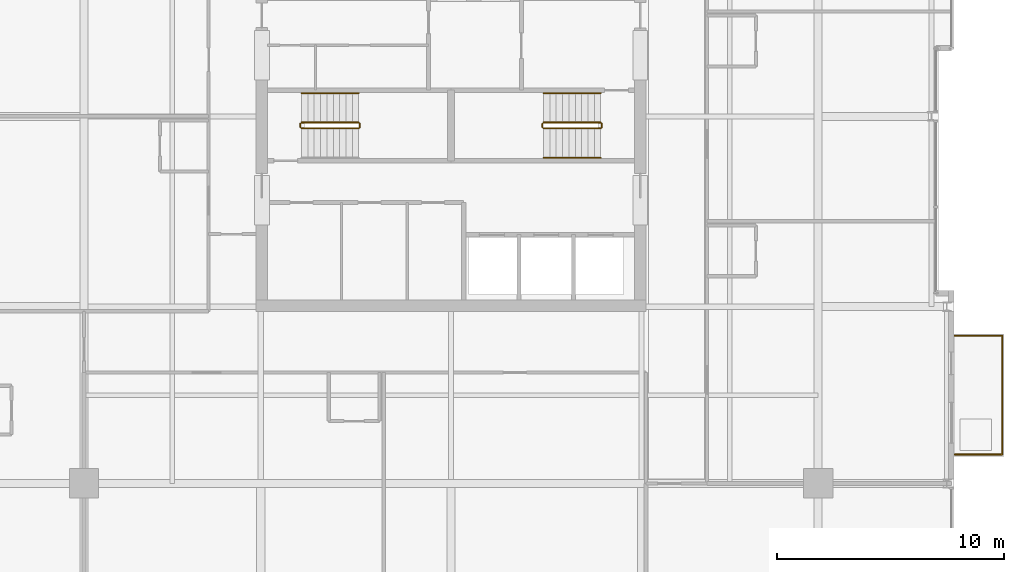
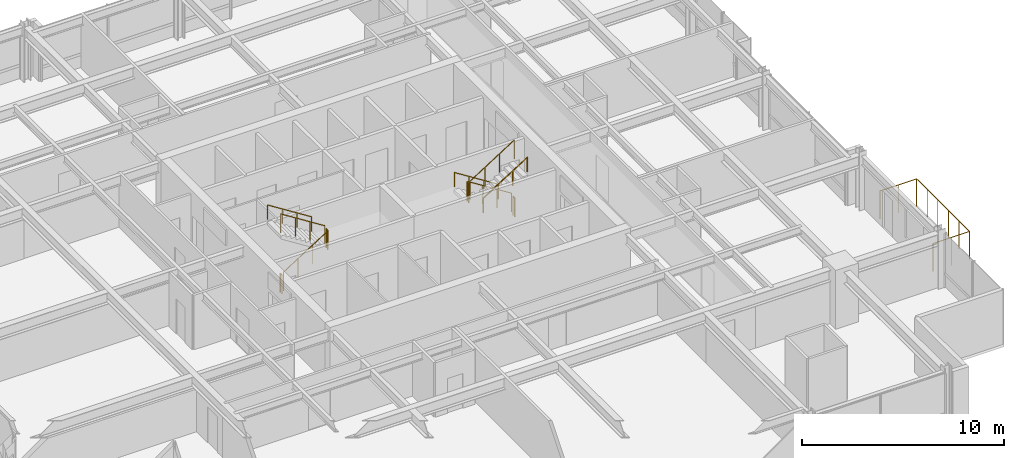
# One storey, part 32 of 33: 12 railings.
"""IFC4 building model written with IfcOpenShell, lengths in metres."""

from ifc_helpers import new_model, si_unit, direction, frame, origin, origin_2d, place, context, subcontext, project, spatial, circle, extrude, material, type_object, element, save


model = new_model("IFC4")

# Units and contexts
model_context = context("Model", 3, precision=1e-05, world=origin(), true_north=direction((0.0, 1.0)))
body_context = subcontext(model_context, "Body", "Model", "MODEL_VIEW")
ifc_project = project(units=[si_unit("LENGTHUNIT", "METRE"), si_unit("AREAUNIT", "SQUARE_METRE"), si_unit("VOLUMEUNIT", "CUBIC_METRE"), si_unit("PLANEANGLEUNIT", "RADIAN"), si_unit("MASSUNIT", "GRAM", prefix="KILO")], contexts=[model_context])

# Site, building, storey
site_placement = place(None, origin())
site = spatial("IfcSite", under=ifc_project, at=site_placement, CompositionType="ELEMENT")
building_placement = place(site_placement, origin())
building = spatial("IfcBuilding", under=site, at=building_placement, Name="Drelvath Grand Hotel", CompositionType="ELEMENT")
storey_placement = place(building_placement, frame((0.0, 0.0, 161.050048828125)))
storey = spatial("IfcBuildingStorey", under=building, at=storey_placement, Name="L41", CompositionType="ELEMENT", Elevation=161.050048828125)

# Railings
ifc_material_1 = material(Name="Painted Steel S275", Category="steel")
railing_type_1 = type_object("IfcRailingType", Name="Core Stair Wall Handrail 900", PredefinedType="HANDRAIL", material=ifc_material_1)
railing_1_placement = place(storey_placement, frame((-4.080078125, 28.030029296875, 1.952392578125)))
element("IfcRailing", 1, at=railing_1_placement, inside=storey, type_object=railing_type_1, Name="L41 ST-1 stair handrail 2", PredefinedType="HANDRAIL", context=body_context, shape_type="SweptSolid", body=[
    extrude(circle(Radius=0.02392578125, at=origin_2d()), frame((0.0, 0.0, 0.8759765625), z_axis=(-0.84456994832, 0.0, 0.535445237532), x_axis=(0.0, -1.0, 0.0)), (0.0, 0.0, 1.0), 2.98388671875),
    extrude(circle(Radius=0.02099609375, at=origin_2d()), origin(), (0.0, 0.0, 1.0), 0.851806640625),
    extrude(circle(Radius=0.02099609375, at=origin_2d()), frame((-0.840087890625, 0.0, 0.532470703125)), (0.0, 0.0, 1.0), 0.851806640625),
    extrude(circle(Radius=0.02099609375, at=origin_2d()), frame((-1.679931640625, 0.0, 1.065185546875)), (0.0, 0.0, 1.0), 0.851806640625),
    extrude(circle(Radius=0.02099609375, at=origin_2d()), frame((-2.52001953125, 0.0, 1.59765625)), (0.0, 0.0, 1.0), 0.851806640625),
])
railing_2_placement = place(storey_placement, frame((6.60009765625, 28.030029296875, 0.177490234375)))
element("IfcRailing", 2, at=railing_2_placement, inside=storey, type_object=railing_type_1, Name="L41 ST-2 stair handrail 1", PredefinedType="HANDRAIL", context=body_context, shape_type="SweptSolid", body=[
    extrude(circle(Radius=0.02392578125, at=origin_2d()), frame((0.0, 0.0, 0.8759765625), z_axis=(-0.84460694969, 0.0, 0.535386869969), x_axis=(0.0, -1.0, 0.0)), (0.0, 0.0, 1.0), 2.983642578125),
    extrude(circle(Radius=0.02099609375, at=origin_2d()), origin(), (0.0, 0.0, 1.0), 0.851806640625),
    extrude(circle(Radius=0.02099609375, at=origin_2d()), frame((-0.840087890625, 0.0, 0.532470703125)), (0.0, 0.0, 1.0), 0.851806640625),
    extrude(circle(Radius=0.02099609375, at=origin_2d()), frame((-1.679931640625, 0.0, 1.06494140625)), (0.0, 0.0, 1.0), 0.851806640625),
    extrude(circle(Radius=0.02099609375, at=origin_2d()), frame((-2.52001953125, 0.0, 1.597412109375)), (0.0, 0.0, 1.0), 0.851806640625),
])
railing_3_placement = place(storey_placement, frame((4.080078125, 25.169921875, 1.952392578125)))
element("IfcRailing", 3, at=railing_3_placement, inside=storey, type_object=railing_type_1, Name="L41 ST-2 stair handrail 2", PredefinedType="HANDRAIL", context=body_context, shape_type="SweptSolid", body=[
    extrude(circle(Radius=0.02392578125, at=origin_2d()), frame((0.0, 0.0, 0.8759765625), z_axis=(0.84456994832, 0.0, 0.535445237532), x_axis=(0.0, 1.0, 0.0)), (0.0, 0.0, 1.0), 2.98388671875),
    extrude(circle(Radius=0.02099609375, at=origin_2d()), origin(), (0.0, 0.0, 1.0), 0.851806640625),
    extrude(circle(Radius=0.02099609375, at=origin_2d()), frame((0.840087890625, 0.0, 0.532470703125)), (0.0, 0.0, 1.0), 0.851806640625),
    extrude(circle(Radius=0.02099609375, at=origin_2d()), frame((1.679931640625, 0.0, 1.065185546875)), (0.0, 0.0, 1.0), 0.851806640625),
    extrude(circle(Radius=0.02099609375, at=origin_2d()), frame((2.52001953125, 0.0, 1.59765625)), (0.0, 0.0, 1.0), 0.851806640625),
])
railing_type_2 = type_object("IfcRailingType", Name="Core Stair Well Guardrail 1100", PredefinedType="GUARDRAIL", material=ifc_material_1)
railing_4_placement = place(storey_placement, frame((-6.60009765625, 26.469970703125, 0.177490234375)))
element("IfcRailing", 4, at=railing_4_placement, inside=storey, type_object=railing_type_2, Name="L41 ST-1 stair guard 1", PredefinedType="GUARDRAIL", context=body_context, shape_type="SweptSolid", body=[
    extrude(circle(Radius=0.02392578125, at=origin_2d()), frame((0.0, 0.0, 1.1259765625), z_axis=(0.84460694969, 0.0, 0.535386869969), x_axis=(0.0, 1.0, 0.0)), (0.0, 0.0, 1.0), 2.983642578125),
    extrude(circle(Radius=0.02099609375, at=origin_2d()), origin(), (0.0, 0.0, 1.0), 1.101806640625),
    extrude(circle(Radius=0.02099609375, at=origin_2d()), frame((0.840087890625, 0.0, 0.532470703125)), (0.0, 0.0, 1.0), 1.101806640625),
    extrude(circle(Radius=0.02099609375, at=origin_2d()), frame((1.679931640625, 0.0, 1.06494140625)), (0.0, 0.0, 1.0), 1.101806640625),
    extrude(circle(Radius=0.02099609375, at=origin_2d()), frame((2.52001953125, 0.0, 1.597412109375)), (0.0, 0.0, 1.0), 1.101806640625),
])
railing_5_placement = place(storey_placement, frame((-4.030029296875, 26.52001953125, 1.77490234375)))
element("IfcRailing", 5, at=railing_5_placement, inside=storey, type_object=railing_type_2, Name="L41 ST-1 stair guard 2", PredefinedType="GUARDRAIL", context=body_context, shape_type="SweptSolid", body=[
    extrude(circle(Radius=0.02392578125, at=origin_2d()), frame((0.0, 0.0, 1.1259765625), z_axis=(0.0, 1.0, 0.0), x_axis=(-1.0, 0.0, 0.0)), (0.0, 0.0, 1.0), 0.159912109375),
    extrude(circle(Radius=0.02099609375, at=origin_2d()), origin(), (0.0, 0.0, 1.0), 1.101806640625),
    extrude(circle(Radius=0.02099609375, at=origin_2d()), frame((0.0, 0.159912109375, 0.0)), (0.0, 0.0, 1.0), 1.101806640625),
])
railing_6_placement = place(storey_placement, frame((-4.080078125, 26.72998046875, 1.952392578125)))
element("IfcRailing", 6, at=railing_6_placement, inside=storey, type_object=railing_type_2, Name="L41 ST-1 stair guard 3", PredefinedType="GUARDRAIL", context=body_context, shape_type="SweptSolid", body=[
    extrude(circle(Radius=0.02392578125, at=origin_2d()), frame((0.0, 0.0, 1.1259765625), z_axis=(-0.84456994832, 0.0, 0.535445237532), x_axis=(0.0, -1.0, 0.0)), (0.0, 0.0, 1.0), 2.98388671875),
    extrude(circle(Radius=0.02099609375, at=origin_2d()), origin(), (0.0, 0.0, 1.0), 1.101806640625),
    extrude(circle(Radius=0.02099609375, at=origin_2d()), frame((-0.840087890625, 0.0, 0.532470703125)), (0.0, 0.0, 1.0), 1.101806640625),
    extrude(circle(Radius=0.02099609375, at=origin_2d()), frame((-1.679931640625, 0.0, 1.065185546875)), (0.0, 0.0, 1.0), 1.101806640625),
    extrude(circle(Radius=0.02099609375, at=origin_2d()), frame((-2.52001953125, 0.0, 1.59765625)), (0.0, 0.0, 1.0), 1.101806640625),
])
railing_7_placement = place(storey_placement, frame((-6.64990234375, 26.52001953125, 0.0)))
element("IfcRailing", 7, at=railing_7_placement, inside=storey, type_object=railing_type_2, Name="L41 ST-1 stair guard 4", PredefinedType="GUARDRAIL", context=body_context, shape_type="SweptSolid", body=[
    extrude(circle(Radius=0.02392578125, at=origin_2d()), frame((0.0, 0.0, 1.1259765625), z_axis=(0.0, 1.0, 0.0), x_axis=(-1.0, 0.0, 0.0)), (0.0, 0.0, 1.0), 0.159912109375),
    extrude(circle(Radius=0.02099609375, at=origin_2d()), origin(), (0.0, 0.0, 1.0), 1.101806640625),
    extrude(circle(Radius=0.02099609375, at=origin_2d()), frame((0.0, 0.159912109375, 0.0)), (0.0, 0.0, 1.0), 1.101806640625),
])
railing_8_placement = place(storey_placement, frame((6.60009765625, 26.72998046875, 0.177490234375)))
element("IfcRailing", 8, at=railing_8_placement, inside=storey, type_object=railing_type_2, Name="L41 ST-2 stair guard 1", PredefinedType="GUARDRAIL", context=body_context, shape_type="SweptSolid", body=[
    extrude(circle(Radius=0.02392578125, at=origin_2d()), frame((0.0, 0.0, 1.1259765625), z_axis=(-0.84460694969, 0.0, 0.535386869969), x_axis=(0.0, -1.0, 0.0)), (0.0, 0.0, 1.0), 2.983642578125),
    extrude(circle(Radius=0.02099609375, at=origin_2d()), origin(), (0.0, 0.0, 1.0), 1.101806640625),
    extrude(circle(Radius=0.02099609375, at=origin_2d()), frame((-0.840087890625, 0.0, 0.532470703125)), (0.0, 0.0, 1.0), 1.101806640625),
    extrude(circle(Radius=0.02099609375, at=origin_2d()), frame((-1.679931640625, 0.0, 1.06494140625)), (0.0, 0.0, 1.0), 1.101806640625),
    extrude(circle(Radius=0.02099609375, at=origin_2d()), frame((-2.52001953125, 0.0, 1.597412109375)), (0.0, 0.0, 1.0), 1.101806640625),
])
railing_9_placement = place(storey_placement, frame((4.030029296875, 26.679931640625, 1.77490234375)))
element("IfcRailing", 9, at=railing_9_placement, inside=storey, type_object=railing_type_2, Name="L41 ST-2 stair guard 2", PredefinedType="GUARDRAIL", context=body_context, shape_type="SweptSolid", body=[
    extrude(circle(Radius=0.02392578125, at=origin_2d()), frame((0.0, 0.0, 1.1259765625), z_axis=(0.0, -1.0, 0.0), x_axis=(1.0, 0.0, 0.0)), (0.0, 0.0, 1.0), 0.159912109375),
    extrude(circle(Radius=0.02099609375, at=origin_2d()), origin(), (0.0, 0.0, 1.0), 1.101806640625),
    extrude(circle(Radius=0.02099609375, at=origin_2d()), frame((0.0, -0.159912109375, 0.0)), (0.0, 0.0, 1.0), 1.101806640625),
])
railing_10_placement = place(storey_placement, frame((4.080078125, 26.469970703125, 1.952392578125)))
element("IfcRailing", 10, at=railing_10_placement, inside=storey, type_object=railing_type_2, Name="L41 ST-2 stair guard 3", PredefinedType="GUARDRAIL", context=body_context, shape_type="SweptSolid", body=[
    extrude(circle(Radius=0.02392578125, at=origin_2d()), frame((0.0, 0.0, 1.1259765625), z_axis=(0.84456994832, 0.0, 0.535445237532), x_axis=(0.0, 1.0, 0.0)), (0.0, 0.0, 1.0), 2.98388671875),
    extrude(circle(Radius=0.02099609375, at=origin_2d()), origin(), (0.0, 0.0, 1.0), 1.101806640625),
    extrude(circle(Radius=0.02099609375, at=origin_2d()), frame((0.840087890625, 0.0, 0.532470703125)), (0.0, 0.0, 1.0), 1.101806640625),
    extrude(circle(Radius=0.02099609375, at=origin_2d()), frame((1.679931640625, 0.0, 1.065185546875)), (0.0, 0.0, 1.0), 1.101806640625),
    extrude(circle(Radius=0.02099609375, at=origin_2d()), frame((2.52001953125, 0.0, 1.59765625)), (0.0, 0.0, 1.0), 1.101806640625),
])
railing_11_placement = place(storey_placement, frame((6.64990234375, 26.679931640625, 0.0)))
element("IfcRailing", 11, at=railing_11_placement, inside=storey, type_object=railing_type_2, Name="L41 ST-2 stair guard 4", PredefinedType="GUARDRAIL", context=body_context, shape_type="SweptSolid", body=[
    extrude(circle(Radius=0.02392578125, at=origin_2d()), frame((0.0, 0.0, 1.1259765625), z_axis=(0.0, -1.0, 0.0), x_axis=(1.0, 0.0, 0.0)), (0.0, 0.0, 1.0), 0.159912109375),
    extrude(circle(Radius=0.02099609375, at=origin_2d()), origin(), (0.0, 0.0, 1.0), 1.101806640625),
    extrude(circle(Radius=0.02099609375, at=origin_2d()), frame((0.0, -0.159912109375, 0.0)), (0.0, 0.0, 1.0), 1.101806640625),
])
ifc_material_2 = material(Name="Anodised Aluminium and Laminated Glass Balustrade", Category="aluminium")
railing_type_3 = type_object("IfcRailingType", Name="Raised Planter Edge Balustrade 1700", PredefinedType="BALUSTRADE", material=ifc_material_2)
railing_12_placement = place(storey_placement, frame((22.219970703125, 12.080078125, 0.0)))
element("IfcRailing", 12, at=railing_12_placement, inside=storey, type_object=railing_type_3, Name="L41 Tree Balcony Perimeter Balustrade 1", PredefinedType="BALUSTRADE", context=body_context, shape_type="SweptSolid", body=[
    extrude(circle(Radius=0.02392578125, at=origin_2d()), frame((0.0, 0.0, 1.67578125), z_axis=(1.0, 0.0, 0.0), x_axis=(0.0, 1.0, 0.0)), (0.0, 0.0, 1.0), 2.10009765625),
    extrude(circle(Radius=0.02392578125, at=origin_2d()), frame((2.10009765625, 0.0, 1.67578125), z_axis=(0.0, 1.0, 0.0), x_axis=(-1.0, 0.0, 0.0)), (0.0, 0.0, 1.0), 5.239990234375),
    extrude(circle(Radius=0.02392578125, at=origin_2d()), frame((2.10009765625, 5.239990234375, 1.67578125), z_axis=(-1.0, 0.0, 0.0), x_axis=(0.0, -1.0, 0.0)), (0.0, 0.0, 1.0), 2.10009765625),
    extrude(circle(Radius=0.02099609375, at=origin_2d()), origin(), (0.0, 0.0, 1.0), 1.65185546875),
    extrude(circle(Radius=0.02099609375, at=origin_2d()), frame((1.050048828125, 0.0, 0.0)), (0.0, 0.0, 1.0), 1.65185546875),
    extrude(circle(Radius=0.02099609375, at=origin_2d()), frame((2.10009765625, 0.0, 0.0)), (0.0, 0.0, 1.0), 1.65185546875),
    extrude(circle(Radius=0.02099609375, at=origin_2d()), frame((2.10009765625, 1.048095703125, 0.0)), (0.0, 0.0, 1.0), 1.65185546875),
    extrude(circle(Radius=0.02099609375, at=origin_2d()), frame((2.10009765625, 2.095947265625, 0.0)), (0.0, 0.0, 1.0), 1.65185546875),
    extrude(circle(Radius=0.02099609375, at=origin_2d()), frame((2.10009765625, 3.14404296875, 0.0)), (0.0, 0.0, 1.0), 1.65185546875),
    extrude(circle(Radius=0.02099609375, at=origin_2d()), frame((2.10009765625, 4.19189453125, 0.0)), (0.0, 0.0, 1.0), 1.65185546875),
    extrude(circle(Radius=0.02099609375, at=origin_2d()), frame((2.10009765625, 5.239990234375, 0.0)), (0.0, 0.0, 1.0), 1.65185546875),
    extrude(circle(Radius=0.02099609375, at=origin_2d()), frame((1.050048828125, 5.239990234375, 0.0)), (0.0, 0.0, 1.0), 1.65185546875),
    extrude(circle(Radius=0.02099609375, at=origin_2d()), frame((0.0, 5.239990234375, 0.0)), (0.0, 0.0, 1.0), 1.65185546875),
])

save(model, "model.ifc")
